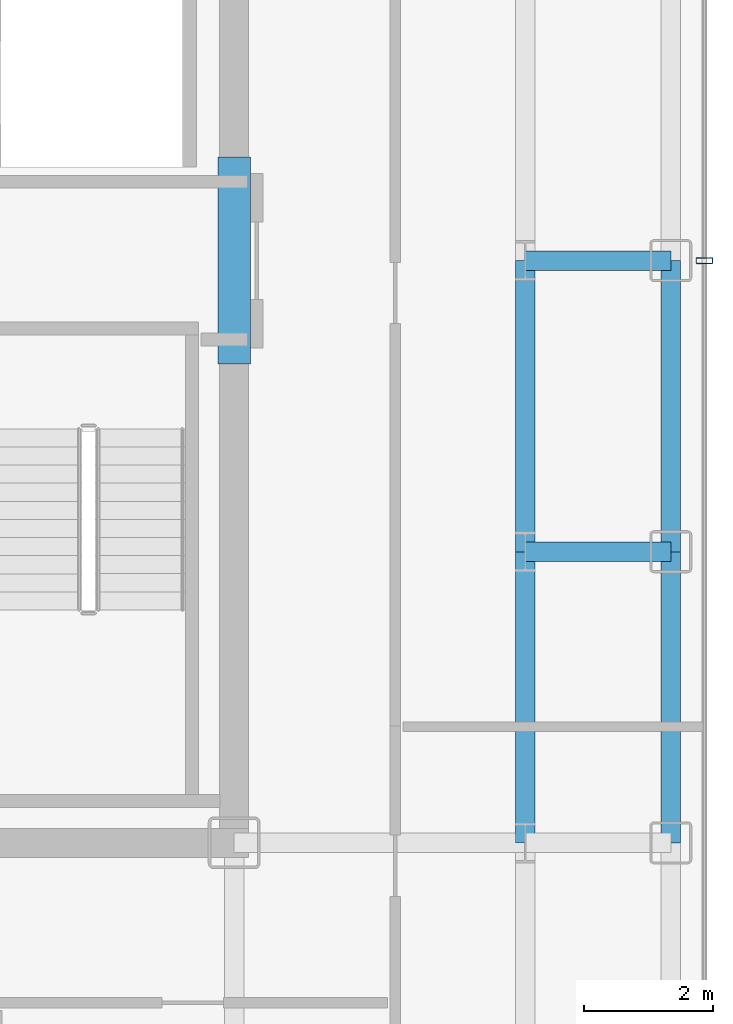
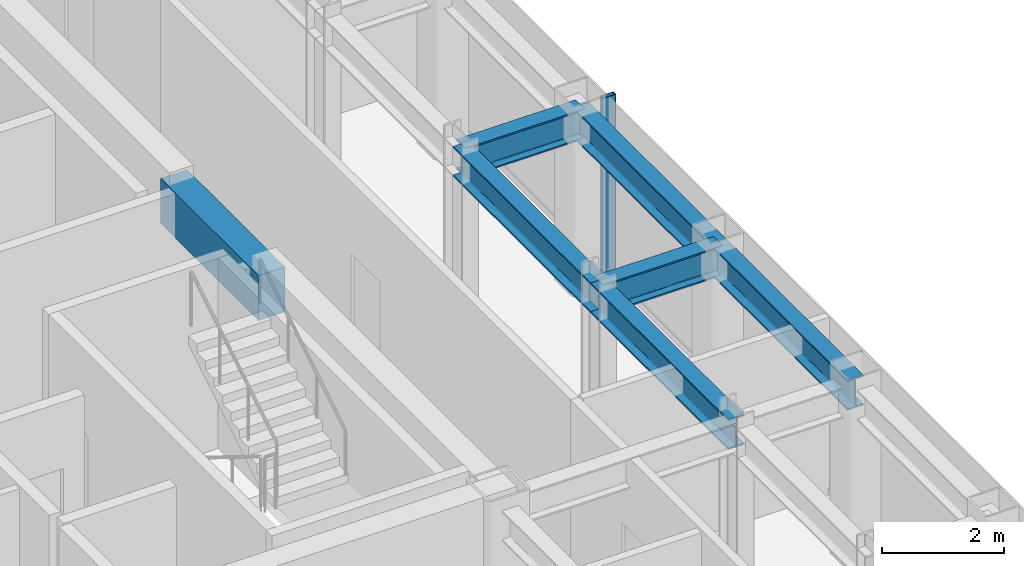
# One storey, part 5 of 17: 7 beams, 1 member, 1 element without a shape of its own.
"""IFC4 building model written with IfcOpenShell, lengths in metres."""

from ifc_helpers import new_model, si_unit, direction, frame, origin, origin_2d, place, context, subcontext, project, spatial, rectangle, hollow_rectangle, i_section, extrude, source, transform, mapped, material, layer, layer_set, material_profile, profile_set, type_object, element, aggregate, save


model = new_model("IFC4")

# Units and contexts
model_context = context("Model", 3, precision=1e-05, world=origin(), true_north=direction((0.0, 1.0)))
body_context = subcontext(model_context, "Body", "Model", "MODEL_VIEW")
ifc_project = project(units=[si_unit("LENGTHUNIT", "METRE"), si_unit("AREAUNIT", "SQUARE_METRE"), si_unit("VOLUMEUNIT", "CUBIC_METRE"), si_unit("PLANEANGLEUNIT", "RADIAN"), si_unit("MASSUNIT", "GRAM", prefix="KILO")], contexts=[model_context])

# Site, building, storey
site_placement = place(None, origin())
site = spatial("IfcSite", under=ifc_project, at=site_placement, CompositionType="ELEMENT")
building_placement = place(site_placement, origin())
building = spatial("IfcBuilding", under=site, at=building_placement, Name="Nefas-Gora Pilgrimage Tower", CompositionType="ELEMENT")
storey_placement = place(building_placement, frame((0.0, 0.0, 279.800048828125)))
storey = spatial("IfcBuildingStorey", under=building, at=storey_placement, Name="L70", CompositionType="ELEMENT", Elevation=279.800048828125)

# Beams
ifc_material_1 = material(Name="Concrete C50/60", Category="concrete")
ifc_material_profile_1 = material_profile(ifc_material_1, rectangle(XDim=0.5, YDim=0.89990234375, at=origin_2d()), Name="RC 500x900")
ifc_profile_set_1 = profile_set([ifc_material_profile_1], Name="Concrete C50/60")
beam_type_1 = type_object("IfcBeamType", Name="BM-LIN-RC900", PredefinedType="LINTEL", material=ifc_profile_set_1)
shared_shape_1 = source(origin(), body_context, "Body", "SweptSolid", [
    extrude(rectangle(XDim=0.5, YDim=0.89990234375, at=origin_2d()), origin(), (0.0, 0.0, 1.0), 3.2001953125),
])
beam_placement = place(storey_placement, frame((11.25, -1.60009765625, 3.099853515625), z_axis=(0.0, 1.0, 0.0), x_axis=(-1.0, 0.0, 0.0)))
element("IfcBeam", 1, at=beam_placement, inside=storey, type_object=beam_type_1, Name="L70 Core Coupling Lintel Beam E", PredefinedType="LINTEL", context=body_context, shape_type="MappedRepresentation", body=[
    mapped(shared_shape_1, transform((0.0, 0.0, 0.0), x_axis=(1.0, 0.0, 0.0), y_axis=(0.0, 1.0, 0.0), z_axis=(0.0, 0.0, 1.0), scale=1.0)),
])
ifc_material_2 = material(Name="Steel S355", Category="steel")
ifc_material_profile_2 = material_profile(ifc_material_2, i_section(OverallWidth=0.300048828125, OverallDepth=0.60009765625, WebThickness=0.015380859375, FlangeThickness=0.030029296875, FilletRadius=0.027099609375, at=origin_2d()), Name="HEB 600")
ifc_profile_set_2 = profile_set([ifc_material_profile_2], Name="Steel S355")
beam_type_2 = type_object("IfcBeamType", Name="BM-SPN-HEB450", PredefinedType="SPANDREL", material=ifc_profile_set_2)
shared_shape_2 = source(origin(), body_context, "Body", "SweptSolid", [
    extrude(i_section(OverallWidth=0.300048828125, OverallDepth=0.60009765625, WebThickness=0.015380859375, FlangeThickness=0.030029296875, FilletRadius=0.027099609375, at=origin_2d()), origin(), (0.0, 0.0, 1.0), 4.5),
])
for number, where, z_axis, x_axis, name in (
    (2, (18.0, -9.0, 3.25), (0.0, 1.0, 0.0), (-1.0, 0.0, 0.0), "L70 SP-03 beam"),
    (3, (18.0, -4.5, 3.25), (0.0, 1.0, 0.0), (-1.0, 0.0, 0.0), "L70 SP-03 beam"),
):
    element("IfcBeam", number, at=place(storey_placement, frame(where, z_axis=z_axis, x_axis=x_axis)), inside=storey, type_object=beam_type_2, Name=name, PredefinedType="SPANDREL", context=body_context, shape_type="MappedRepresentation", body=[
        mapped(shared_shape_2, transform((0.0, 0.0, 0.0), x_axis=(1.0, 0.0, 0.0), y_axis=(0.0, 1.0, 0.0), z_axis=(0.0, 0.0, 1.0), scale=1.0)),
    ])
ifc_material_profile_3 = material_profile(ifc_material_2, i_section(OverallWidth=0.300048828125, OverallDepth=0.60009765625, WebThickness=0.015380859375, FlangeThickness=0.030029296875, FilletRadius=0.027099609375, at=origin_2d()), Name="HEB 600")
ifc_profile_set_3 = profile_set([ifc_material_profile_3], Name="Steel S355")
beam_type_3 = type_object("IfcBeamType", Name="BM-GIR-HEB600", PredefinedType="BEAM", material=ifc_profile_set_3)
shared_shape_3 = source(origin(), body_context, "Body", "SweptSolid", [
    extrude(i_section(OverallWidth=0.300048828125, OverallDepth=0.60009765625, WebThickness=0.015380859375, FlangeThickness=0.030029296875, FilletRadius=0.027099609375, at=origin_2d()), origin(), (0.0, 0.0, 1.0), 4.5),
])
for number, where, z_axis, x_axis, name in (
    (4, (15.75, -9.0, 3.25), (0.0, 1.0, 0.0), (-1.0, 0.0, 0.0), "L70 G-04 beam"),
    (5, (15.75, -4.5, 3.25), (0.0, 1.0, 0.0), (-1.0, 0.0, 0.0), "L70 G-04 beam"),
):
    element("IfcBeam", number, at=place(storey_placement, frame(where, z_axis=z_axis, x_axis=x_axis)), inside=storey, type_object=beam_type_3, Name=name, PredefinedType="BEAM", context=body_context, shape_type="MappedRepresentation", body=[
        mapped(shared_shape_3, transform((0.0, 0.0, 0.0), x_axis=(1.0, 0.0, 0.0), y_axis=(0.0, 1.0, 0.0), z_axis=(0.0, 0.0, 1.0), scale=1.0)),
    ])
shared_shape_4 = source(origin(), body_context, "Body", "SweptSolid", [
    extrude(i_section(OverallWidth=0.300048828125, OverallDepth=0.60009765625, WebThickness=0.015380859375, FlangeThickness=0.030029296875, FilletRadius=0.027099609375, at=origin_2d()), origin(), (0.0, 0.0, 1.0), 2.25),
])
for number, where, z_axis, x_axis, name in (
    (6, (15.75, -4.5, 3.25), (1.0, 0.0, 0.0), (0.0, 1.0, 0.0), "L70 G-04 beam"),
    (7, (15.75, 0.0, 3.25), (1.0, 0.0, 0.0), (0.0, 1.0, 0.0), "L70 G-04 beam"),
):
    element("IfcBeam", number, at=place(storey_placement, frame(where, z_axis=z_axis, x_axis=x_axis)), inside=storey, type_object=beam_type_3, Name=name, PredefinedType="BEAM", context=body_context, shape_type="MappedRepresentation", body=[
        mapped(shared_shape_4, transform((0.0, 0.0, 0.0), x_axis=(1.0, 0.0, 0.0), y_axis=(0.0, 1.0, 0.0), z_axis=(0.0, 0.0, 1.0), scale=1.0)),
    ])

# Curtain wall, member
ifc_material_3 = material(Name="Dark ceramic-fritted solar-control aluminium-glass curtain wall", Category="aluminium")
ifc_layer = layer(ifc_material_3, 0.219970703125)
ifc_layer_set = layer_set([ifc_layer], Name="Dark ceramic-fritted solar-control aluminium-glass curtain wall")
curtain_wall_type = type_object("IfcCurtainWallType", Name="CW-SYS-4", PredefinedType="NOTDEFINED", material=ifc_layer_set)
curtain_wall_placement = place(storey_placement, origin())
curtain_wall = element("IfcCurtainWall", 8, at=curtain_wall_placement, inside=storey, type_object=curtain_wall_type, Name="L70 Unitised Curtain Wall CW4", PredefinedType="NOTDEFINED")
ifc_material_4 = material(Name="Anodised architectural aluminium", Category="aluminium")
ifc_material_profile_4 = material_profile(ifc_material_4, hollow_rectangle(XDim=0.090087890625, YDim=0.260009765625, WallThickness=0.006103515625, InnerFilletRadius=0.006103515625, OuterFilletRadius=0.011962890625, at=origin_2d()), Name="ALU MULLION 90x260")
ifc_profile_set_4 = profile_set([ifc_material_profile_4], Name="Anodised architectural aluminium")
member_type = type_object("IfcMemberType", Name="CWM-MUL-4", PredefinedType="MULLION", material=ifc_profile_set_4)
shared_shape_5 = source(origin(), body_context, "Body", "SweptSolid", [
    extrude(hollow_rectangle(XDim=0.090087890625, YDim=0.260009765625, WallThickness=0.006103515625, InnerFilletRadius=0.006103515625, OuterFilletRadius=0.011962890625, at=origin_2d()), origin(), (0.0, 0.0, 1.0), 3.550048828125),
])
member_placement = place(storey_placement, frame((18.52001953125, 0.0, 0.0), z_axis=(0.0, 0.0, 1.0), x_axis=(0.0, 1.0, 0.0)))
member = element("IfcMember", 9, at=member_placement, type_object=member_type, Name="CW4 Mullion 2", PredefinedType="MULLION", context=body_context, shape_type="MappedRepresentation", body=[
    mapped(shared_shape_5, transform((0.0, 0.0, 0.0), x_axis=(1.0, 0.0, 0.0), y_axis=(0.0, 1.0, 0.0), z_axis=(0.0, 0.0, 1.0), scale=1.0)),
])
aggregate(curtain_wall, [member])

save(model, "model.ifc")
